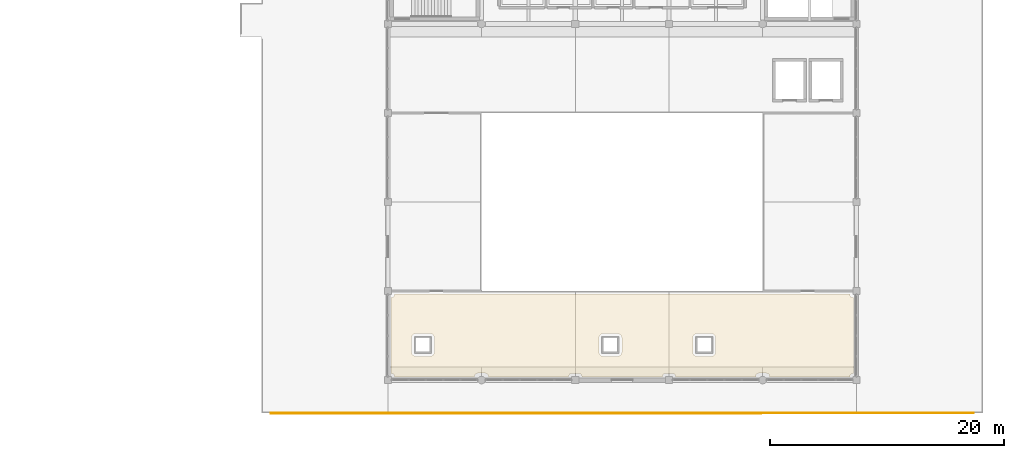
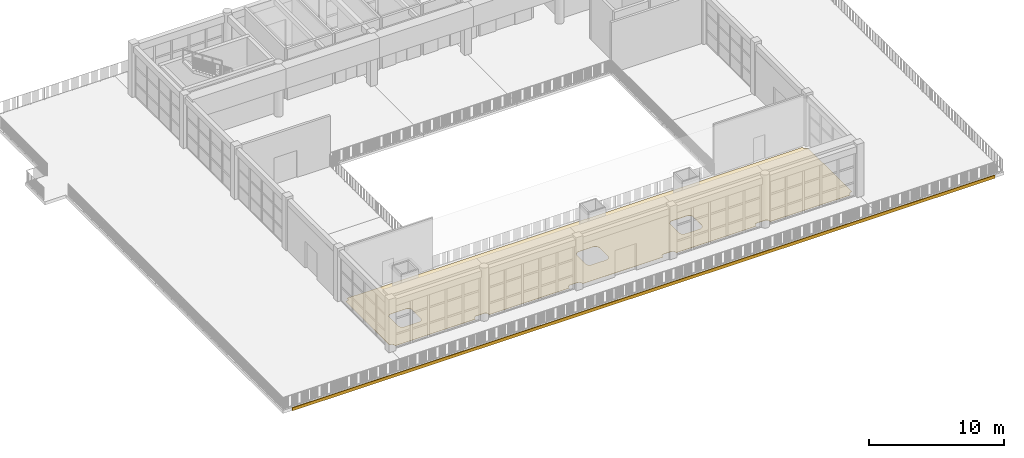
# One storey, part 28 of 32: 2 coverings.
"""IFC4 building model written with IfcOpenShell, lengths in metres."""

from ifc_helpers import new_model, si_unit, direction, frame, origin, place, context, subcontext, project, spatial, polyline, outline, extrude, material, layer, layer_set, type_object, element, save


model = new_model("IFC4")

# Units and contexts
model_context = context("Model", 3, precision=1e-05, world=origin(), true_north=direction((0.0, 1.0)))
body_context = subcontext(model_context, "Body", "Model", "MODEL_VIEW")
ifc_project = project(units=[si_unit("LENGTHUNIT", "METRE"), si_unit("AREAUNIT", "SQUARE_METRE"), si_unit("VOLUMEUNIT", "CUBIC_METRE"), si_unit("PLANEANGLEUNIT", "RADIAN"), si_unit("MASSUNIT", "GRAM", prefix="KILO")], contexts=[model_context])

# Site, building, storey
site_placement = place(None, origin())
site = spatial("IfcSite", under=ifc_project, at=site_placement, CompositionType="ELEMENT")
building_placement = place(site_placement, origin())
building = spatial("IfcBuilding", under=site, at=building_placement, Name="Zantavel Square City Hall", CompositionType="ELEMENT")
storey_placement = place(building_placement, frame((0.0, 0.0, 23.699951171875)))
storey = spatial("IfcBuildingStorey", under=building, at=storey_placement, Name="L06", CompositionType="ELEMENT", Elevation=23.699951171875)

# Coverings
ifc_material_1 = material(Name="White cantera volcanic tuff stone", Category="masonry")
ifc_layer_1 = layer(ifc_material_1, 0.06005859375, Name="White cantera volcanic tuff stone")
ifc_layer_set_1 = layer_set([ifc_layer_1], Name="White cantera volcanic tuff stone")
covering_type_1 = type_object("IfcCoveringType", Name="Carved White Cantera Tray Fascia Cladding 60mm", PredefinedType="CLADDING", material=ifc_layer_set_1)
covering_1_placement = place(storey_placement, frame((0.0, 0.0, -0.280029296875)))
element("IfcCovering", 1, at=covering_1_placement, inside=storey, type_object=covering_type_1, Name="L06 White Cantera Tray Fascia COV-FASCIA-L06S", PredefinedType="CLADDING", context=body_context, shape_type="SweptSolid", body=[
    extrude(outline(polyline([(54.0, 27.5400390625), (114.0, 27.5400390625), (114.0, 27.60009765625), (54.0, 27.60009765625), (54.0, 27.5400390625)])), origin(), (0.0, 0.0, 1.0), 0.280029296875),
])
ifc_material_2 = material(Name="Terrazzo stone finish", Category="masonry")
ifc_layer_2 = layer(ifc_material_2, 0.02001953125, Name="Terrazzo stone finish")
ifc_layer_set_2 = layer_set([ifc_layer_2], Name="Terrazzo stone finish")
covering_type_2 = type_object("IfcCoveringType", Name="Honed Cantera-Terrazzo Civic Flooring 20mm", PredefinedType="FLOORING", material=ifc_layer_set_2)
covering_2_placement = place(storey_placement, origin())
element("IfcCovering", 2, at=covering_2_placement, inside=storey, type_object=covering_type_2, Name="L06 Council Public Gallery Terrazzo Flooring", PredefinedType="FLOORING", context=body_context, shape_type="SweptSolid", body=[
    extrude(outline(polyline([(72.583740234375, 30.759521484375), (72.580078125, 30.78369140625), (72.57421875, 30.8076171875), (72.56591796875, 30.830810546875), (72.555419921875, 30.852783203125), (72.54296875, 30.873779296875), (72.5283203125, 30.8935546875), (72.51171875, 30.911865234375), (72.49365234375, 30.92822265625), (72.473876953125, 30.94287109375), (72.452880859375, 30.95556640625), (72.4306640625, 30.966064453125), (72.40771484375, 30.97412109375), (72.3837890625, 30.980224609375), (72.359619140625, 30.98388671875), (72.3349609375, 30.985107421875), (71.6650390625, 30.985107421875), (71.640380859375, 30.98388671875), (71.6162109375, 30.980224609375), (71.59228515625, 30.97412109375), (71.5693359375, 30.966064453125), (71.547119140625, 30.95556640625), (71.526123046875, 30.94287109375), (71.50634765625, 30.92822265625), (71.48828125, 30.911865234375), (71.4716796875, 30.8935546875), (71.45703125, 30.873779296875), (71.444580078125, 30.852783203125), (71.43408203125, 30.830810546875), (71.42578125, 30.8076171875), (71.419921875, 30.78369140625), (71.416259765625, 30.759521484375), (71.4150390625, 30.735107421875), (71.4150390625, 30.64990234375), (64.56005859375, 30.64990234375), (64.56005859375, 30.7099609375), (64.558837890625, 30.734619140625), (64.55517578125, 30.7587890625), (64.54931640625, 30.78271484375), (64.541015625, 30.8056640625), (64.530517578125, 30.827880859375), (64.517822265625, 30.848876953125), (64.50341796875, 30.86865234375), (64.48681640625, 30.88671875), (64.468505859375, 30.9033203125), (64.448974609375, 30.91796875), (64.427734375, 30.930419921875), (64.40576171875, 30.94091796875), (64.382568359375, 30.94921875), (64.35888671875, 30.955078125), (64.33447265625, 30.958740234375), (64.31005859375, 30.9599609375), (64.25, 30.9599609375), (64.25, 37.43994140625), (64.31005859375, 37.43994140625), (64.33447265625, 37.441162109375), (64.35888671875, 37.44482421875), (64.382568359375, 37.45068359375), (64.40576171875, 37.458984375), (64.427734375, 37.469482421875), (64.448974609375, 37.482177734375), (64.468505859375, 37.49658203125), (64.48681640625, 37.51318359375), (64.50341796875, 37.531494140625), (64.517822265625, 37.551025390625), (64.530517578125, 37.572265625), (64.541015625, 37.59423828125), (64.54931640625, 37.617431640625), (64.55517578125, 37.64111328125), (64.558837890625, 37.66552734375), (64.56005859375, 37.68994140625), (64.56005859375, 37.75), (103.43994140625, 37.75), (103.43994140625, 37.68994140625), (103.441162109375, 37.66552734375), (103.44482421875, 37.64111328125), (103.45068359375, 37.617431640625), (103.458984375, 37.59423828125), (103.469482421875, 37.572265625), (103.482177734375, 37.551025390625), (103.49658203125, 37.531494140625), (103.51318359375, 37.51318359375), (103.531494140625, 37.49658203125), (103.551025390625, 37.482177734375), (103.572265625, 37.469482421875), (103.59423828125, 37.458984375), (103.617431640625, 37.45068359375), (103.64111328125, 37.44482421875), (103.66552734375, 37.441162109375), (103.68994140625, 37.43994140625), (103.75, 37.43994140625), (103.75, 30.9599609375), (103.68994140625, 30.9599609375), (103.66552734375, 30.958740234375), (103.64111328125, 30.955078125), (103.617431640625, 30.94921875), (103.59423828125, 30.94091796875), (103.572265625, 30.930419921875), (103.551025390625, 30.91796875), (103.531494140625, 30.9033203125), (103.51318359375, 30.88671875), (103.49658203125, 30.86865234375), (103.482177734375, 30.848876953125), (103.469482421875, 30.827880859375), (103.458984375, 30.8056640625), (103.45068359375, 30.78271484375), (103.44482421875, 30.7587890625), (103.441162109375, 30.734619140625), (103.43994140625, 30.7099609375), (103.43994140625, 30.64990234375), (96.5849609375, 30.64990234375), (96.5849609375, 30.735107421875), (96.583740234375, 30.759521484375), (96.580078125, 30.78369140625), (96.57421875, 30.8076171875), (96.56591796875, 30.830810546875), (96.555419921875, 30.852783203125), (96.54296875, 30.873779296875), (96.5283203125, 30.8935546875), (96.51171875, 30.911865234375), (96.49365234375, 30.92822265625), (96.473876953125, 30.94287109375), (96.452880859375, 30.95556640625), (96.4306640625, 30.966064453125), (96.40771484375, 30.97412109375), (96.3837890625, 30.980224609375), (96.359619140625, 30.98388671875), (96.3349609375, 30.985107421875), (95.6650390625, 30.985107421875), (95.640380859375, 30.98388671875), (95.6162109375, 30.980224609375), (95.59228515625, 30.97412109375), (95.5693359375, 30.966064453125), (95.547119140625, 30.95556640625), (95.526123046875, 30.94287109375), (95.50634765625, 30.92822265625), (95.48828125, 30.911865234375), (95.4716796875, 30.8935546875), (95.45703125, 30.873779296875), (95.444580078125, 30.852783203125), (95.43408203125, 30.830810546875), (95.42578125, 30.8076171875), (95.419921875, 30.78369140625), (95.416259765625, 30.759521484375), (95.4150390625, 30.735107421875), (95.4150390625, 30.64990234375), (88.56005859375, 30.64990234375), (88.56005859375, 30.7099609375), (88.558837890625, 30.734619140625), (88.55517578125, 30.7587890625), (88.54931640625, 30.78271484375), (88.541015625, 30.8056640625), (88.530517578125, 30.827880859375), (88.517822265625, 30.848876953125), (88.50341796875, 30.86865234375), (88.48681640625, 30.88671875), (88.468505859375, 30.9033203125), (88.448974609375, 30.91796875), (88.427734375, 30.930419921875), (88.40576171875, 30.94091796875), (88.382568359375, 30.94921875), (88.35888671875, 30.955078125), (88.33447265625, 30.958740234375), (88.31005859375, 30.9599609375), (87.68994140625, 30.9599609375), (87.66552734375, 30.958740234375), (87.64111328125, 30.955078125), (87.617431640625, 30.94921875), (87.59423828125, 30.94091796875), (87.572265625, 30.930419921875), (87.551025390625, 30.91796875), (87.531494140625, 30.9033203125), (87.51318359375, 30.88671875), (87.49658203125, 30.86865234375), (87.482177734375, 30.848876953125), (87.469482421875, 30.827880859375), (87.458984375, 30.8056640625), (87.45068359375, 30.78271484375), (87.44482421875, 30.7587890625), (87.441162109375, 30.734619140625), (87.43994140625, 30.7099609375), (87.43994140625, 30.64990234375), (80.56005859375, 30.64990234375), (80.56005859375, 30.7099609375), (80.558837890625, 30.734619140625), (80.55517578125, 30.7587890625), (80.54931640625, 30.78271484375), (80.541015625, 30.8056640625), (80.530517578125, 30.827880859375), (80.517822265625, 30.848876953125), (80.50341796875, 30.86865234375), (80.48681640625, 30.88671875), (80.468505859375, 30.9033203125), (80.448974609375, 30.91796875), (80.427734375, 30.930419921875), (80.40576171875, 30.94091796875), (80.382568359375, 30.94921875), (80.35888671875, 30.955078125), (80.33447265625, 30.958740234375), (80.31005859375, 30.9599609375), (79.68994140625, 30.9599609375), (79.66552734375, 30.958740234375), (79.64111328125, 30.955078125), (79.617431640625, 30.94921875), (79.59423828125, 30.94091796875), (79.572265625, 30.930419921875), (79.551025390625, 30.91796875), (79.531494140625, 30.9033203125), (79.51318359375, 30.88671875), (79.49658203125, 30.86865234375), (79.482177734375, 30.848876953125), (79.469482421875, 30.827880859375), (79.458984375, 30.8056640625), (79.45068359375, 30.78271484375), (79.44482421875, 30.7587890625), (79.441162109375, 30.734619140625), (79.43994140625, 30.7099609375), (79.43994140625, 30.64990234375), (72.5849609375, 30.64990234375), (72.5849609375, 30.735107421875), (72.583740234375, 30.759521484375)]), holes=[polyline([(90.3876953125, 32.430419921875), (90.39990234375, 32.429931640625), (91.60009765625, 32.429931640625), (91.6123046875, 32.430419921875), (91.6240234375, 32.430908203125), (91.6484375, 32.433349609375), (91.66015625, 32.43505859375), (91.68408203125, 32.439697265625), (91.695556640625, 32.442626953125), (91.718994140625, 32.44970703125), (91.72998046875, 32.45361328125), (91.752685546875, 32.463134765625), (91.763427734375, 32.46826171875), (91.78515625, 32.479736328125), (91.795166015625, 32.48583984375), (91.815673828125, 32.49951171875), (91.8251953125, 32.50634765625), (91.843994140625, 32.52197265625), (91.852783203125, 32.52978515625), (91.8701171875, 32.54736328125), (91.8779296875, 32.555908203125), (91.8935546875, 32.574951171875), (91.900634765625, 32.58447265625), (91.914306640625, 32.604736328125), (91.92041015625, 32.614990234375), (91.931884765625, 32.636474609375), (91.93701171875, 32.647216796875), (91.9462890625, 32.669921875), (91.9501953125, 32.680908203125), (91.957275390625, 32.704345703125), (91.960205078125, 32.7158203125), (91.965087890625, 32.739990234375), (91.966796875, 32.751708984375), (91.968994140625, 32.77587890625), (91.9697265625, 32.78759765625), (91.969970703125, 32.800048828125), (91.969970703125, 34.0), (91.9697265625, 34.01220703125), (91.968994140625, 34.02392578125), (91.966796875, 34.04833984375), (91.965087890625, 34.06005859375), (91.960205078125, 34.084228515625), (91.957275390625, 34.095703125), (91.9501953125, 34.119140625), (91.9462890625, 34.130126953125), (91.93701171875, 34.15283203125), (91.931884765625, 34.16357421875), (91.92041015625, 34.18505859375), (91.914306640625, 34.1953125), (91.900634765625, 34.215576171875), (91.8935546875, 34.22509765625), (91.8779296875, 34.243896484375), (91.8701171875, 34.252685546875), (91.852783203125, 34.27001953125), (91.843994140625, 34.278076171875), (91.8251953125, 34.293701171875), (91.815673828125, 34.300537109375), (91.795166015625, 34.314208984375), (91.78515625, 34.3203125), (91.763427734375, 34.331787109375), (91.752685546875, 34.3369140625), (91.72998046875, 34.34619140625), (91.718994140625, 34.35009765625), (91.695556640625, 34.357421875), (91.68408203125, 34.360107421875), (91.66015625, 34.364990234375), (91.6484375, 34.36669921875), (91.6240234375, 34.369140625), (91.6123046875, 34.36962890625), (91.60009765625, 34.3701171875), (90.39990234375, 34.3701171875), (90.3876953125, 34.36962890625), (90.3759765625, 34.369140625), (90.3515625, 34.36669921875), (90.33984375, 34.364990234375), (90.31591796875, 34.360107421875), (90.304443359375, 34.357421875), (90.281005859375, 34.35009765625), (90.27001953125, 34.34619140625), (90.247314453125, 34.3369140625), (90.236572265625, 34.331787109375), (90.21484375, 34.3203125), (90.204833984375, 34.314208984375), (90.184326171875, 34.300537109375), (90.1748046875, 34.293701171875), (90.156005859375, 34.278076171875), (90.147216796875, 34.27001953125), (90.1298828125, 34.252685546875), (90.1220703125, 34.243896484375), (90.1064453125, 34.22509765625), (90.099365234375, 34.215576171875), (90.085693359375, 34.1953125), (90.07958984375, 34.18505859375), (90.068115234375, 34.16357421875), (90.06298828125, 34.15283203125), (90.0537109375, 34.130126953125), (90.0498046875, 34.119140625), (90.042724609375, 34.095703125), (90.039794921875, 34.084228515625), (90.034912109375, 34.06005859375), (90.033203125, 34.04833984375), (90.031005859375, 34.02392578125), (90.0302734375, 34.01220703125), (90.030029296875, 34.0), (90.030029296875, 32.800048828125), (90.0302734375, 32.78759765625), (90.031005859375, 32.77587890625), (90.033203125, 32.751708984375), (90.034912109375, 32.739990234375), (90.039794921875, 32.7158203125), (90.042724609375, 32.704345703125), (90.0498046875, 32.680908203125), (90.0537109375, 32.669921875), (90.06298828125, 32.647216796875), (90.068115234375, 32.636474609375), (90.07958984375, 32.614990234375), (90.085693359375, 32.604736328125), (90.099365234375, 32.58447265625), (90.1064453125, 32.574951171875), (90.1220703125, 32.555908203125), (90.1298828125, 32.54736328125), (90.147216796875, 32.52978515625), (90.156005859375, 32.52197265625), (90.1748046875, 32.50634765625), (90.184326171875, 32.49951171875), (90.204833984375, 32.48583984375), (90.21484375, 32.479736328125), (90.236572265625, 32.46826171875), (90.247314453125, 32.463134765625), (90.27001953125, 32.45361328125), (90.281005859375, 32.44970703125), (90.304443359375, 32.442626953125), (90.31591796875, 32.439697265625), (90.33984375, 32.43505859375), (90.3515625, 32.433349609375), (90.3759765625, 32.430908203125), (90.3876953125, 32.430419921875)]), polyline([(82.3515625, 32.433349609375), (82.3759765625, 32.430908203125), (82.3876953125, 32.430419921875), (82.39990234375, 32.429931640625), (83.60009765625, 32.429931640625), (83.6123046875, 32.430419921875), (83.6240234375, 32.430908203125), (83.6484375, 32.433349609375), (83.66015625, 32.43505859375), (83.68408203125, 32.439697265625), (83.695556640625, 32.442626953125), (83.718994140625, 32.44970703125), (83.72998046875, 32.45361328125), (83.752685546875, 32.463134765625), (83.763427734375, 32.46826171875), (83.78515625, 32.479736328125), (83.795166015625, 32.48583984375), (83.815673828125, 32.49951171875), (83.8251953125, 32.50634765625), (83.843994140625, 32.52197265625), (83.852783203125, 32.52978515625), (83.8701171875, 32.54736328125), (83.8779296875, 32.555908203125), (83.8935546875, 32.574951171875), (83.900634765625, 32.58447265625), (83.914306640625, 32.604736328125), (83.92041015625, 32.614990234375), (83.931884765625, 32.636474609375), (83.93701171875, 32.647216796875), (83.9462890625, 32.669921875), (83.9501953125, 32.680908203125), (83.957275390625, 32.704345703125), (83.960205078125, 32.7158203125), (83.965087890625, 32.739990234375), (83.966796875, 32.751708984375), (83.968994140625, 32.77587890625), (83.9697265625, 32.78759765625), (83.969970703125, 32.800048828125), (83.969970703125, 34.0), (83.9697265625, 34.01220703125), (83.968994140625, 34.02392578125), (83.966796875, 34.04833984375), (83.965087890625, 34.06005859375), (83.960205078125, 34.084228515625), (83.957275390625, 34.095703125), (83.9501953125, 34.119140625), (83.9462890625, 34.130126953125), (83.93701171875, 34.15283203125), (83.931884765625, 34.16357421875), (83.92041015625, 34.18505859375), (83.914306640625, 34.1953125), (83.900634765625, 34.215576171875), (83.8935546875, 34.22509765625), (83.8779296875, 34.243896484375), (83.8701171875, 34.252685546875), (83.852783203125, 34.27001953125), (83.843994140625, 34.278076171875), (83.8251953125, 34.293701171875), (83.815673828125, 34.300537109375), (83.795166015625, 34.314208984375), (83.78515625, 34.3203125), (83.763427734375, 34.331787109375), (83.752685546875, 34.3369140625), (83.72998046875, 34.34619140625), (83.718994140625, 34.35009765625), (83.695556640625, 34.357421875), (83.68408203125, 34.360107421875), (83.66015625, 34.364990234375), (83.6484375, 34.36669921875), (83.6240234375, 34.369140625), (83.6123046875, 34.36962890625), (83.60009765625, 34.3701171875), (82.39990234375, 34.3701171875), (82.3876953125, 34.36962890625), (82.3759765625, 34.369140625), (82.3515625, 34.36669921875), (82.33984375, 34.364990234375), (82.31591796875, 34.360107421875), (82.304443359375, 34.357421875), (82.281005859375, 34.35009765625), (82.27001953125, 34.34619140625), (82.247314453125, 34.3369140625), (82.236572265625, 34.331787109375), (82.21484375, 34.3203125), (82.204833984375, 34.314208984375), (82.184326171875, 34.300537109375), (82.1748046875, 34.293701171875), (82.156005859375, 34.278076171875), (82.147216796875, 34.27001953125), (82.1298828125, 34.252685546875), (82.1220703125, 34.243896484375), (82.1064453125, 34.22509765625), (82.099365234375, 34.215576171875), (82.085693359375, 34.1953125), (82.07958984375, 34.18505859375), (82.068115234375, 34.16357421875), (82.06298828125, 34.15283203125), (82.0537109375, 34.130126953125), (82.0498046875, 34.119140625), (82.042724609375, 34.095703125), (82.039794921875, 34.084228515625), (82.034912109375, 34.06005859375), (82.033203125, 34.04833984375), (82.031005859375, 34.02392578125), (82.0302734375, 34.01220703125), (82.030029296875, 34.0), (82.030029296875, 32.800048828125), (82.0302734375, 32.78759765625), (82.031005859375, 32.77587890625), (82.033203125, 32.751708984375), (82.034912109375, 32.739990234375), (82.039794921875, 32.7158203125), (82.042724609375, 32.704345703125), (82.0498046875, 32.680908203125), (82.0537109375, 32.669921875), (82.06298828125, 32.647216796875), (82.068115234375, 32.636474609375), (82.07958984375, 32.614990234375), (82.085693359375, 32.604736328125), (82.099365234375, 32.58447265625), (82.1064453125, 32.574951171875), (82.1220703125, 32.555908203125), (82.1298828125, 32.54736328125), (82.147216796875, 32.52978515625), (82.156005859375, 32.52197265625), (82.1748046875, 32.50634765625), (82.184326171875, 32.49951171875), (82.204833984375, 32.48583984375), (82.21484375, 32.479736328125), (82.236572265625, 32.46826171875), (82.247314453125, 32.463134765625), (82.27001953125, 32.45361328125), (82.281005859375, 32.44970703125), (82.304443359375, 32.442626953125), (82.31591796875, 32.439697265625), (82.33984375, 32.43505859375), (82.3515625, 32.433349609375)]), polyline([(66.3515625, 32.433349609375), (66.3759765625, 32.430908203125), (66.3876953125, 32.430419921875), (66.39990234375, 32.429931640625), (67.60009765625, 32.429931640625), (67.6123046875, 32.430419921875), (67.6240234375, 32.430908203125), (67.6484375, 32.433349609375), (67.66015625, 32.43505859375), (67.68408203125, 32.439697265625), (67.695556640625, 32.442626953125), (67.718994140625, 32.44970703125), (67.72998046875, 32.45361328125), (67.752685546875, 32.463134765625), (67.763427734375, 32.46826171875), (67.78515625, 32.479736328125), (67.795166015625, 32.48583984375), (67.815673828125, 32.49951171875), (67.8251953125, 32.50634765625), (67.843994140625, 32.52197265625), (67.852783203125, 32.52978515625), (67.8701171875, 32.54736328125), (67.8779296875, 32.555908203125), (67.8935546875, 32.574951171875), (67.900634765625, 32.58447265625), (67.914306640625, 32.604736328125), (67.92041015625, 32.614990234375), (67.931884765625, 32.636474609375), (67.93701171875, 32.647216796875), (67.9462890625, 32.669921875), (67.9501953125, 32.680908203125), (67.957275390625, 32.704345703125), (67.960205078125, 32.7158203125), (67.965087890625, 32.739990234375), (67.966796875, 32.751708984375), (67.968994140625, 32.77587890625), (67.9697265625, 32.78759765625), (67.969970703125, 32.800048828125), (67.969970703125, 34.0), (67.9697265625, 34.01220703125), (67.968994140625, 34.02392578125), (67.966796875, 34.04833984375), (67.965087890625, 34.06005859375), (67.960205078125, 34.084228515625), (67.957275390625, 34.095703125), (67.9501953125, 34.119140625), (67.9462890625, 34.130126953125), (67.93701171875, 34.15283203125), (67.931884765625, 34.16357421875), (67.92041015625, 34.18505859375), (67.914306640625, 34.1953125), (67.900634765625, 34.215576171875), (67.8935546875, 34.22509765625), (67.8779296875, 34.243896484375), (67.8701171875, 34.252685546875), (67.852783203125, 34.27001953125), (67.843994140625, 34.278076171875), (67.8251953125, 34.293701171875), (67.815673828125, 34.300537109375), (67.795166015625, 34.314208984375), (67.78515625, 34.3203125), (67.763427734375, 34.331787109375), (67.752685546875, 34.3369140625), (67.72998046875, 34.34619140625), (67.718994140625, 34.35009765625), (67.695556640625, 34.357421875), (67.68408203125, 34.360107421875), (67.66015625, 34.364990234375), (67.6484375, 34.36669921875), (67.6240234375, 34.369140625), (67.6123046875, 34.36962890625), (67.60009765625, 34.3701171875), (66.39990234375, 34.3701171875), (66.3876953125, 34.36962890625), (66.3759765625, 34.369140625), (66.3515625, 34.36669921875), (66.33984375, 34.364990234375), (66.31591796875, 34.360107421875), (66.304443359375, 34.357421875), (66.281005859375, 34.35009765625), (66.27001953125, 34.34619140625), (66.247314453125, 34.3369140625), (66.236572265625, 34.331787109375), (66.21484375, 34.3203125), (66.204833984375, 34.314208984375), (66.184326171875, 34.300537109375), (66.1748046875, 34.293701171875), (66.156005859375, 34.278076171875), (66.147216796875, 34.27001953125), (66.1298828125, 34.252685546875), (66.1220703125, 34.243896484375), (66.1064453125, 34.22509765625), (66.099365234375, 34.215576171875), (66.085693359375, 34.1953125), (66.07958984375, 34.18505859375), (66.068115234375, 34.16357421875), (66.06298828125, 34.15283203125), (66.0537109375, 34.130126953125), (66.0498046875, 34.119140625), (66.042724609375, 34.095703125), (66.039794921875, 34.084228515625), (66.034912109375, 34.06005859375), (66.033203125, 34.04833984375), (66.031005859375, 34.02392578125), (66.0302734375, 34.01220703125), (66.030029296875, 34.0), (66.030029296875, 32.800048828125), (66.0302734375, 32.78759765625), (66.031005859375, 32.77587890625), (66.033203125, 32.751708984375), (66.034912109375, 32.739990234375), (66.039794921875, 32.7158203125), (66.042724609375, 32.704345703125), (66.0498046875, 32.680908203125), (66.0537109375, 32.669921875), (66.06298828125, 32.647216796875), (66.068115234375, 32.636474609375), (66.07958984375, 32.614990234375), (66.085693359375, 32.604736328125), (66.099365234375, 32.58447265625), (66.1064453125, 32.574951171875), (66.1220703125, 32.555908203125), (66.1298828125, 32.54736328125), (66.147216796875, 32.52978515625), (66.156005859375, 32.52197265625), (66.1748046875, 32.50634765625), (66.184326171875, 32.49951171875), (66.204833984375, 32.48583984375), (66.21484375, 32.479736328125), (66.236572265625, 32.46826171875), (66.247314453125, 32.463134765625), (66.27001953125, 32.45361328125), (66.281005859375, 32.44970703125), (66.304443359375, 32.442626953125), (66.31591796875, 32.439697265625), (66.33984375, 32.43505859375), (66.3515625, 32.433349609375)])]), origin(), (0.0, 0.0, 1.0), 0.02001953125),
])

save(model, "model.ifc")
